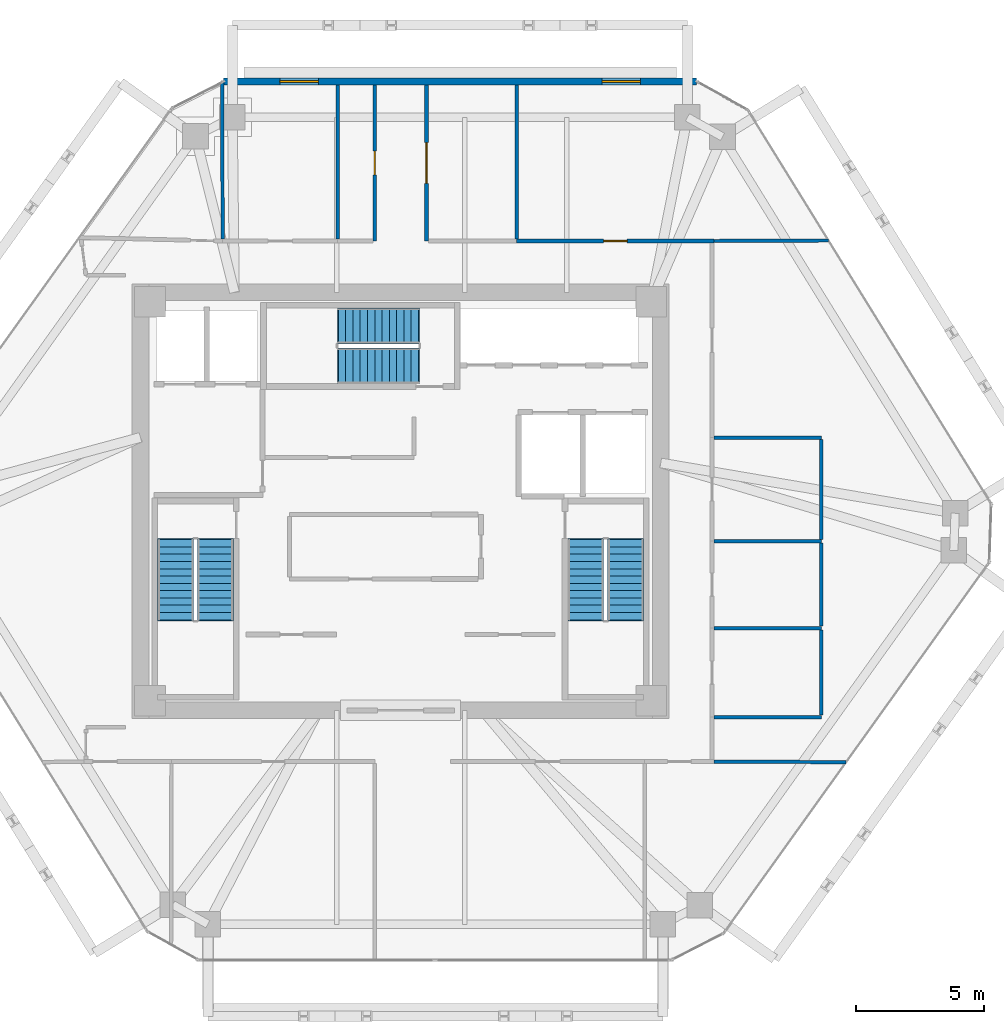
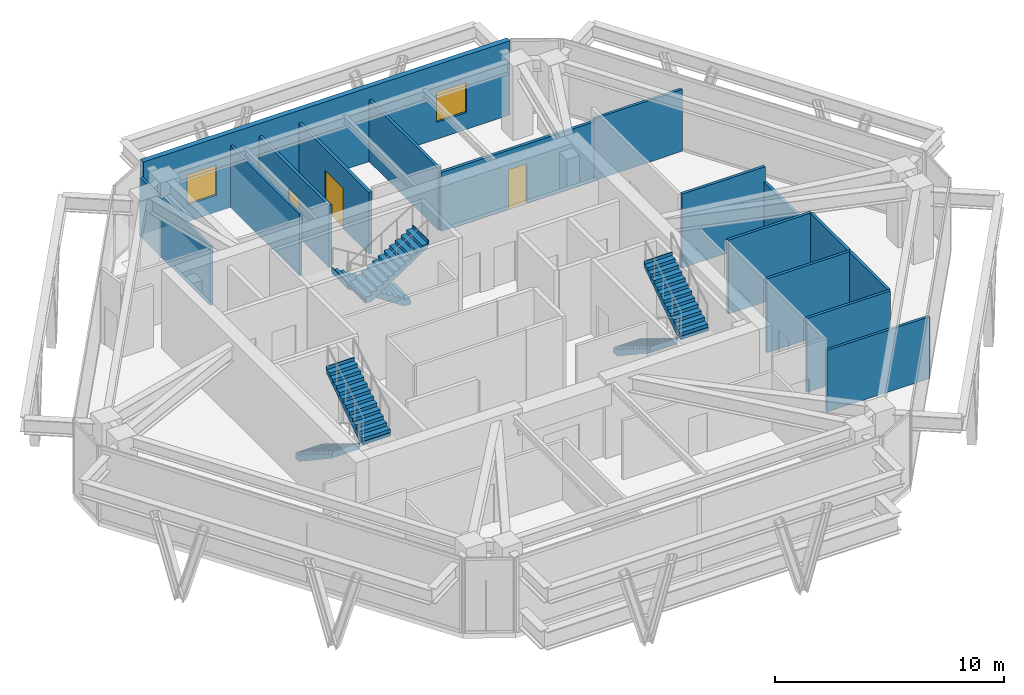
# One storey, part 10 of 11: 16 walls, 6 stair flights, 3 doors, 2 windows, 5 openings, 3 elements without a shape of their own.
"""IFC4 building model written with IfcOpenShell, lengths in metres."""

import ifcopenshell
import ifcopenshell.guid

model = None  # the IFC model being written
_history = None  # IfcOwnerHistory: only IFC2X3 demands one
_inside = {}  # id of a spatial element -> (the spatial element, [elements in it])
_under = {}  # id of a project, library or spatial element -> (it, [spatial elements below it])
_declared = {}  # id of a project -> (the project, [libraries it declares])
_typed = {}  # id of a type object -> (the type object, [elements of that type])
_made_of = {}  # id of a material, layer set ... -> (it, [elements and type objects made of it])


def new_model(schema):
    """Start an empty IFC model of exactly this schema.

    Asked for "IFC4X3", IfcOpenShell would pick the latest addendum, in which some entities
    have other attributes; the version numbers below select the first issue.
    IFC2X3 requires an IfcOwnerHistory on every rooted entity: one is made here for all.
    """
    global model, _history
    if schema == "IFC4X3":
        model = ifcopenshell.file(schema_version=(4, 3, 0, 0))
    else:
        model = ifcopenshell.file(schema=schema)
    _inside.clear()
    _under.clear()
    _declared.clear()
    _typed.clear()
    _made_of.clear()
    _history = None
    if model.schema == "IFC2X3":
        org = make("IfcOrganization", Name="unknown")
        user = make(
            "IfcPersonAndOrganization",
            ThePerson=make("IfcPerson", FamilyName="unknown"),
            TheOrganization=org,
        )
        app = make(
            "IfcApplication",
            ApplicationDeveloper=org,
            Version="unknown",
            ApplicationFullName="unknown",
            ApplicationIdentifier="unknown",
        )
        _history = make(
            "IfcOwnerHistory",
            OwningUser=user,
            OwningApplication=app,
            ChangeAction="ADDED",
            CreationDate=0,
        )
    return model


def make(cls, **values):
    """One entity of the class cls with the attributes given. An attribute that is None is left unset."""
    return model.create_entity(
        cls, **{name: value for name, value in values.items() if value is not None}
    )


def rooted(cls, **values):
    """An entity with a GlobalId (a new one), such as an element, a storey or a relation."""
    return make(cls, GlobalId=ifcopenshell.guid.new(), OwnerHistory=_history, **values)


def si_unit(unit_type, name, prefix=None):
    """IfcSIUnit, for example si_unit("LENGTHUNIT", "METRE", prefix="MILLI")."""
    return make("IfcSIUnit", UnitType=unit_type, Prefix=prefix, Name=name)


def assignment(units):
    """IfcUnitAssignment: the units of a project."""
    return None if units is None else make("IfcUnitAssignment", Units=units)


def point(xyz):
    """IfcCartesianPoint."""
    return None if xyz is None else make("IfcCartesianPoint", Coordinates=xyz)


def direction(xyz):
    """IfcDirection."""
    return None if xyz is None else make("IfcDirection", DirectionRatios=xyz)


def frame(location, z_axis=None, x_axis=None):
    """IfcAxis2Placement3D, a coordinate frame: its origin and axes. An axis left out is left unset."""
    return make(
        "IfcAxis2Placement3D",
        Location=point(location),
        Axis=direction(z_axis),
        RefDirection=direction(x_axis),
    )


def frame_2d(location, x_axis=None):
    """IfcAxis2Placement2D, a coordinate frame in the plane: its origin and x axis."""
    return make(
        "IfcAxis2Placement2D", Location=point(location), RefDirection=direction(x_axis)
    )


def origin():
    """The frame at (0, 0, 0) with its axes left unset."""
    return frame((0.0, 0.0, 0.0))


def place(relative_to, where):
    """IfcLocalPlacement: puts the frame where relative to a parent placement (None: the world)."""
    return make(
        "IfcLocalPlacement", PlacementRelTo=relative_to, RelativePlacement=where
    )


def context(
    kind, dimensions, precision=None, world=None, true_north=None, identifier=None
):
    """IfcGeometricRepresentationContext, for example the 3D "Model" context."""
    return make(
        "IfcGeometricRepresentationContext",
        ContextIdentifier=identifier,
        ContextType=kind,
        CoordinateSpaceDimension=dimensions,
        Precision=precision,
        WorldCoordinateSystem=world,
        TrueNorth=true_north,
    )


def subcontext(parent, identifier, kind, view, scale=None):
    """IfcGeometricRepresentationSubContext, for example "Body" below "Model"."""
    return make(
        "IfcGeometricRepresentationSubContext",
        ContextIdentifier=identifier,
        ContextType=kind,
        ParentContext=parent,
        TargetScale=scale,
        TargetView=view,
    )


def project(units=None, contexts=None):
    """IfcProject with its units and contexts."""
    return rooted(
        "IfcProject",
        Name="project",
        RepresentationContexts=contexts,
        UnitsInContext=assignment(units),
    )


def spatial(cls, under=None, at=None, **own):
    """A site, building, storey or space (cls), placed at a placement, below another one or the project."""
    s = rooted(cls, ObjectPlacement=at, **own)
    if under is not None:
        _under.setdefault(under.id(), (under, []))[1].append(s)
    return s


def polyline(points):
    """IfcPolyline through the points."""
    return make("IfcPolyline", Points=[point(p) for p in points])


def profile(cls, at=None, kind="AREA", **sizes):
    """A parametric profile (cls). Its sizes go by their IFC names, for example OverallWidth=200.0."""
    return make(cls, ProfileType=kind, Position=at, **sizes)


def rectangle(**sizes):
    """IfcRectangleProfileDef."""
    return profile("IfcRectangleProfileDef", **sizes)


def outline(outer, holes=None, kind="AREA"):
    """IfcArbitraryClosedProfileDef: a profile drawn as a closed curve; with holes, ...WithVoids."""
    if holes is None:
        return make("IfcArbitraryClosedProfileDef", ProfileType=kind, OuterCurve=outer)
    return make(
        "IfcArbitraryProfileDefWithVoids",
        ProfileType=kind,
        OuterCurve=outer,
        InnerCurves=holes,
    )


def extrude(swept, where, along, depth):
    """IfcExtrudedAreaSolid: the profile swept, set in the frame where, extruded along a direction by depth."""
    return make(
        "IfcExtrudedAreaSolid",
        SweptArea=swept,
        Position=where,
        ExtrudedDirection=direction(along),
        Depth=depth,
    )


def shape(context_of_items, identifier, shape_type, items):
    """IfcShapeRepresentation: the items that make up one representation, for example the "Body"."""
    return make(
        "IfcShapeRepresentation",
        ContextOfItems=context_of_items,
        RepresentationIdentifier=identifier,
        RepresentationType=shape_type,
        Items=items,
    )


def source(mapping_origin, context_of_items, identifier, shape_type, items):
    """IfcRepresentationMap: a shape defined once, which mapped items show again and again."""
    return make(
        "IfcRepresentationMap",
        MappingOrigin=mapping_origin,
        MappedRepresentation=shape(context_of_items, identifier, shape_type, items),
    )


def transform(
    local_origin,
    x_axis=None,
    y_axis=None,
    z_axis=None,
    scale=None,
    scale2=None,
    scale3=None,
    uniform=True,
):
    """IfcCartesianTransformationOperator3D, or its non-uniform kind. x_axis, y_axis, z_axis: its Axis1, 2, 3."""
    if uniform:
        return make(
            "IfcCartesianTransformationOperator3D",
            Axis1=direction(x_axis),
            Axis2=direction(y_axis),
            LocalOrigin=point(local_origin),
            Scale=scale,
            Axis3=direction(z_axis),
        )
    return make(
        "IfcCartesianTransformationOperator3DnonUniform",
        Axis1=direction(x_axis),
        Axis2=direction(y_axis),
        LocalOrigin=point(local_origin),
        Scale=scale,
        Axis3=direction(z_axis),
        Scale2=scale2,
        Scale3=scale3,
    )


def mapped(mapping_source, mapping_target):
    """IfcMappedItem: shows the shape of a source again, moved by a transform."""
    return make(
        "IfcMappedItem", MappingSource=mapping_source, MappingTarget=mapping_target
    )


def material(Name=None, Category=None):
    """IfcMaterial."""
    return make("IfcMaterial", Name=Name, Category=Category)


def layer(
    of_material, thickness, ventilated=None, Name=None, Category=None, Priority=None
):
    """IfcMaterialLayer: one layer of a wall or slab, of a material (None: an air gap)."""
    return make(
        "IfcMaterialLayer",
        Material=of_material,
        LayerThickness=thickness,
        IsVentilated=ventilated,
        Name=Name,
        Category=Category,
        Priority=Priority,
    )


def layer_set(layers, Name=None):
    """IfcMaterialLayerSet."""
    return make("IfcMaterialLayerSet", MaterialLayers=layers, LayerSetName=Name)


def made_of(thing, what):
    """Note that an element or type object is made of a material, layer set ...; save() writes the relation."""
    if what is not None:
        _made_of.setdefault(what.id(), (what, []))[1].append(thing)
    return thing


def type_object(cls, material=None, **own):
    """A type object (cls), such as IfcWallType, which elements share."""
    return made_of(rooted(cls, **own), material)


def type_shapes(of_type, sources):
    """Give a type object the sources (RepresentationMaps) that its elements show as mapped items."""
    of_type.RepresentationMaps = sources


def element(
    cls,
    number,
    at=None,
    inside=None,
    cuts=None,
    type_object=None,
    material=None,
    context=None,
    identifier="Body",
    shape_type=None,
    held_by="IfcProductDefinitionShape",
    body=None,
    shapes=None,
    **own,
):
    """One element of the class cls, such as IfcWall. Its Tag is "e" and its number.

    at: its placement. inside: the storey or other place that contains it. cuts: it is an
    opening in that element (IfcRelVoidsElement). A single representation is given by context,
    identifier, shape_type and body (its items); several are given by shapes. held_by: the class
    of the entity that holds the representations. save() writes the other relations.
    """
    e = rooted(cls, Tag="e%d" % number, ObjectPlacement=at, **own)
    if body is not None:
        shapes = [shape(context, identifier, shape_type, body)]
    if shapes is not None:
        e.Representation = make(held_by, Representations=shapes)
    if inside is not None:
        _inside.setdefault(inside.id(), (inside, []))[1].append(e)
    if cuts is not None:
        rooted(
            "IfcRelVoidsElement", RelatingBuildingElement=cuts, RelatedOpeningElement=e
        )
    if type_object is not None:
        _typed.setdefault(type_object.id(), (type_object, []))[1].append(e)
    return made_of(e, material)


def fill(opening, filler):
    """IfcRelFillsElement: the door or window that sits in an opening."""
    return rooted(
        "IfcRelFillsElement",
        RelatingOpeningElement=opening,
        RelatedBuildingElement=filler,
    )


def aggregate(whole, parts):
    """IfcRelAggregates: a whole, such as a stair, and the parts it consists of."""
    return rooted("IfcRelAggregates", RelatingObject=whole, RelatedObjects=parts)


def save(model, path):
    """Write the relations noted so far, then the file.

    IfcRelAggregates (storeys below a building ...), IfcRelContainedInSpatialStructure (elements
    in a storey), IfcRelDefinesByType, IfcRelAssociatesMaterial and IfcRelDeclares: one each for
    every whole, place, type object, material and project.
    """
    for whole, parts in _under.values():
        aggregate(whole, parts)
    for where, things in _inside.values():
        rooted(
            "IfcRelContainedInSpatialStructure",
            RelatedElements=things,
            RelatingStructure=where,
        )
    for kind, things in _typed.values():
        rooted("IfcRelDefinesByType", RelatedObjects=things, RelatingType=kind)
    for what, things in _made_of.values():
        rooted("IfcRelAssociatesMaterial", RelatedObjects=things, RelatingMaterial=what)
    for by, libraries in _declared.values():
        rooted("IfcRelDeclares", RelatingContext=by, RelatedDefinitions=libraries)
    model.write(path)


model = new_model("IFC4")

# Units and contexts
model_context = context("Model", 3, precision=1e-05, world=origin(), true_north=direction((0.0, 1.0)))
body_context = subcontext(model_context, "Body", "Model", "MODEL_VIEW")
ifc_project = project(units=[si_unit("LENGTHUNIT", "METRE"), si_unit("AREAUNIT", "SQUARE_METRE"), si_unit("VOLUMEUNIT", "CUBIC_METRE"), si_unit("PLANEANGLEUNIT", "RADIAN"), si_unit("MASSUNIT", "GRAM", prefix="KILO")], contexts=[model_context])

# Site, building, storey
site_placement = place(None, origin())
site = spatial("IfcSite", under=ifc_project, at=site_placement, CompositionType="ELEMENT")
building_placement = place(site_placement, origin())
building = spatial("IfcBuilding", under=site, at=building_placement, Name="Durnholm Broadcast Tower", CompositionType="ELEMENT")
storey_placement = place(building_placement, frame((0.0, 0.0, 155.10009765625)))
storey = spatial("IfcBuildingStorey", under=building, at=storey_placement, Name="L42", CompositionType="ELEMENT", Elevation=155.10009765625)

# Wall, openings, windows
ifc_material_1 = material(Name="Precast Concrete C45/55", Category="concrete")
ifc_layer_1 = layer(ifc_material_1, 0.260009765625)
ifc_layer_set_1 = layer_set([ifc_layer_1], Name="Precast Concrete C45/55")
wall_type_1 = type_object("IfcWallType", Name="WALL-EXT-260", PredefinedType="SOLIDWALL", material=ifc_layer_set_1)
wall_1_placement = place(storey_placement, frame((-6.917236328125, 16.41796875, 0.0), z_axis=(0.0, 0.0, 1.0), x_axis=(1.0, 0.0, 0.0)))
wall_1 = element("IfcWall", 1, at=wall_1_placement, inside=storey, type_object=wall_type_1, Name="L42 north feature spandrel wall", PredefinedType="SOLIDWALL", context=body_context, shape_type="SweptSolid", body=[
    extrude(rectangle(XDim=18.49853515625, YDim=0.260009765625, at=frame_2d((9.249267578125, 0.0))), origin(), (0.0, 0.0, 1.0), 3.9599609375),
])
opening_1_placement = place(wall_1_placement, frame((2.199951171875, 0.0, 0.89990234375)))
opening_1 = element("IfcOpeningElement", 2, at=opening_1_placement, cuts=wall_1, Name="Opening W4", PredefinedType="OPENING", context=body_context, shape_type="SweptSolid", body=[
    extrude(rectangle(XDim=1.5, YDim=1.60009765625, at=frame_2d((0.75, 0.800048828125))), frame((0.0, 0.14013671875, 0.0), z_axis=(0.0, -1.0, 0.0), x_axis=(1.0, 0.0, 0.0)), (0.0, 0.0, 1.0), 0.280029296875),
])
opening_2_placement = place(wall_1_placement, frame((14.799072265625, 0.0, 0.89990234375)))
opening_2 = element("IfcOpeningElement", 3, at=opening_2_placement, cuts=wall_1, Name="Opening W4", PredefinedType="OPENING", context=body_context, shape_type="SweptSolid", body=[
    extrude(rectangle(XDim=1.5, YDim=1.60009765625, at=frame_2d((0.75, 0.800048828125))), frame((0.0, 0.14013671875, 0.0), z_axis=(0.0, -1.0, 0.0), x_axis=(1.0, 0.0, 0.0)), (0.0, 0.0, 1.0), 0.280029296875),
])
ifc_material_2 = material(Name="Thermally Broken Aluminium and Laminated Glass", Category="aluminium")
ifc_layer_2 = layer(ifc_material_2, 0.06005859375)
ifc_layer_set_2 = layer_set([ifc_layer_2], Name="Thermally Broken Aluminium and Laminated Glass")
window_type = type_object("IfcWindowType", Name="WIN-W4", PartitioningType="SINGLE_PANEL", PredefinedType="WINDOW", material=ifc_layer_set_2)
shared_shape_1 = source(origin(), body_context, "Body", "SweptSolid", [
    extrude(rectangle(XDim=1.5, YDim=1.60009765625, at=frame_2d((0.75, 0.800048828125))), frame((0.0, 0.030029296875, 0.0), z_axis=(0.0, -1.0, 0.0), x_axis=(1.0, 0.0, 0.0)), (0.0, 0.0, 1.0), 0.06005859375),
])
type_shapes(window_type, [shared_shape_1])
window_1_placement = place(opening_1_placement, origin())
window_1 = element("IfcWindow", 4, at=window_1_placement, inside=storey, type_object=window_type, Name="L42 feature window 1", OverallHeight=1.60009765625, OverallWidth=1.5, PartitioningType="SINGLE_PANEL", PredefinedType="WINDOW", context=body_context, shape_type="MappedRepresentation", body=[
    mapped(shared_shape_1, transform((0.0, 0.0, 0.0), x_axis=(1.0, 0.0, 0.0), y_axis=(0.0, 1.0, 0.0), z_axis=(0.0, 0.0, 1.0), scale=1.0)),
])
fill(opening_1, window_1)
window_2_placement = place(opening_2_placement, origin())
window_2 = element("IfcWindow", 5, at=window_2_placement, inside=storey, type_object=window_type, Name="L42 feature window 2", OverallHeight=1.60009765625, OverallWidth=1.5, PartitioningType="SINGLE_PANEL", PredefinedType="WINDOW", context=body_context, shape_type="MappedRepresentation", body=[
    mapped(shared_shape_1, transform((0.0, 0.0, 0.0), x_axis=(1.0, 0.0, 0.0), y_axis=(0.0, 1.0, 0.0), z_axis=(0.0, 0.0, 1.0), scale=1.0)),
])
fill(opening_2, window_2)

# Walls
ifc_material_3 = material(Name="Gypsum Metal Stud Partition", Category="concrete")
ifc_layer_3 = layer(ifc_material_3, 0.135009765625)
ifc_layer_set_3 = layer_set([ifc_layer_3], Name="Gypsum Metal Stud Partition")
wall_type_2 = type_object("IfcWallType", Name="WALL-PART-135", PredefinedType="PARTITIONING", material=ifc_layer_set_3)
wall_2_placement = place(storey_placement, frame((-6.978271484375, 16.38671875, 0.0), z_axis=(0.0, 0.0, 1.0), x_axis=(0.00294831182, -0.999995653719, 0.0)))
element("IfcWall", 6, at=wall_2_placement, inside=storey, type_object=wall_type_2, Name="L42 room dividing partition 9.10", PredefinedType="PARTITIONING", context=body_context, shape_type="SweptSolid", body=[
    extrude(rectangle(XDim=6.127685546875, YDim=0.135009765625, at=frame_2d((3.06396484375, 0.0))), origin(), (0.0, 0.0, 1.0), 3.1416015625),
])
for number, where, z_axis, x_axis, name in (
    (7, (-2.4599609375, 16.282958984375, 0.0), (0.0, 0.0, 1.0), (0.0, -1.0, 0.0), "L42 room dividing partition 10.11"),
    (8, (4.5400390625, 16.282958984375, 0.0), (0.0, 0.0, 1.0), (0.0, -1.0, 0.0), "L42 room dividing partition 12.13"),
):
    element("IfcWall", number, at=place(storey_placement, frame(where, z_axis=z_axis, x_axis=x_axis)), inside=storey, type_object=wall_type_2, Name=name, PredefinedType="PARTITIONING", context=body_context, shape_type="SweptSolid", body=[
        extrude(rectangle(XDim=6.02392578125, YDim=0.135009765625, at=frame_2d((3.011962890625, 0.0))), origin(), (0.0, 0.0, 1.0), 3.298583984375),
    ])
wall_3_placement = place(storey_placement, frame((16.739990234375, 10.200927734375, 0.0), z_axis=(0.0, 0.0, 1.0), x_axis=(-0.999989522694, -0.004577608714, 0.0)))
element("IfcWall", 9, at=wall_3_placement, inside=storey, type_object=wall_type_2, Name="L42 room dividing partition 13.20", PredefinedType="PARTITIONING", context=body_context, shape_type="SweptSolid", body=[
    extrude(rectangle(XDim=4.47998046875, YDim=0.135009765625, at=frame_2d((2.239990234375, 0.0))), origin(), (0.0, 0.0, 1.0), 3.298583984375),
])
wall_4_placement = place(storey_placement, frame((12.260009765625, -10.180419921875, 0.0), z_axis=(0.0, 0.0, 1.0), x_axis=(0.999990144117, -0.004439782427, 0.0)))
element("IfcWall", 10, at=wall_4_placement, inside=storey, type_object=wall_type_2, Name="L42 room dividing partition 17.20", PredefinedType="PARTITIONING", context=body_context, shape_type="SweptSolid", body=[
    extrude(rectangle(XDim=5.1689453125, YDim=0.135009765625, at=frame_2d((2.58447265625, 0.0))), origin(), (0.0, 0.0, 1.0), 3.298583984375),
])

# Wall, opening, door
ifc_material_4 = material(Name="Acoustic Gypsum Stud Partition", Category="concrete")
ifc_layer_4 = layer(ifc_material_4, 0.14990234375)
ifc_layer_set_4 = layer_set([ifc_layer_4], Name="Acoustic Gypsum Stud Partition")
wall_type_3 = type_object("IfcWallType", Name="WALL-PART-150", PredefinedType="PARTITIONING", material=ifc_layer_set_4)
wall_5_placement = place(storey_placement, frame((-1.010009765625, 16.282958984375, 0.0), z_axis=(0.0, 0.0, 1.0), x_axis=(0.0, -1.0, 0.0)))
wall_5 = element("IfcWall", 11, at=wall_5_placement, inside=storey, type_object=wall_type_3, Name="L42 Sky Terrace Lounge corridor partition", PredefinedType="PARTITIONING", context=body_context, shape_type="SweptSolid", body=[
    extrude(rectangle(XDim=6.10302734375, YDim=0.14990234375, at=frame_2d((3.051513671875, 0.0))), origin(), (0.0, 0.0, 1.0), 3.298583984375),
])
opening_3_placement = place(wall_5_placement, frame((2.591552734375, 0.0, 0.0)))
opening_3 = element("IfcOpeningElement", 12, at=opening_3_placement, cuts=wall_5, Name="Opening DR-92L", PredefinedType="OPENING", context=body_context, shape_type="SweptSolid", body=[
    extrude(rectangle(XDim=0.919921875, YDim=2.10009765625, at=frame_2d((0.4599609375, 1.050048828125))), frame((0.0, 0.0849609375, 0.0), z_axis=(0.0, -1.0, 0.0), x_axis=(1.0, 0.0, 0.0)), (0.0, 0.0, 1.0), 0.169921875),
])
ifc_material_5 = material(Name="Oak Veneer Office Door", Category="wood")
ifc_layer_5 = layer(ifc_material_5, 0.050048828125)
ifc_layer_set_5 = layer_set([ifc_layer_5], Name="Oak Veneer Office Door")
door_type_1 = type_object("IfcDoorType", Name="DOOR-RM-920L", OperationType="NOTDEFINED", PredefinedType="DOOR", material=ifc_layer_set_5)
shared_shape_2 = source(origin(), body_context, "Body", "SweptSolid", [
    extrude(rectangle(XDim=0.919921875, YDim=2.10009765625, at=frame_2d((0.4599609375, 1.050048828125))), frame((0.0, 0.02490234375, 0.0), z_axis=(0.0, -1.0, 0.0), x_axis=(1.0, 0.0, 0.0)), (0.0, 0.0, 1.0), 0.050048828125),
])
type_shapes(door_type_1, [shared_shape_2])
door_1_placement = place(opening_3_placement, origin())
door_1 = element("IfcDoor", 13, at=door_1_placement, inside=storey, type_object=door_type_1, Name="L42 Sky Terrace Lounge entrance door", OperationType="SINGLE_SWING_LEFT", OverallHeight=2.10009765625, OverallWidth=0.919921875, PredefinedType="DOOR", context=body_context, shape_type="MappedRepresentation", body=[
    mapped(shared_shape_2, transform((0.0, 0.0, 0.0), x_axis=(1.0, 0.0, 0.0), y_axis=(0.0, 1.0, 0.0), z_axis=(0.0, 0.0, 1.0), scale=1.0)),
])
fill(opening_3, door_1)

wall_6_placement = place(storey_placement, frame((1.010009765625, 10.179931640625, 0.0), z_axis=(0.0, 0.0, 1.0), x_axis=(0.0, 1.0, 0.0)))
wall_6 = element("IfcWall", 14, at=wall_6_placement, inside=storey, type_object=wall_type_3, Name="L42 Town Hall Meeting Room corridor partition", PredefinedType="PARTITIONING", context=body_context, shape_type="SweptSolid", body=[
    extrude(rectangle(XDim=6.10302734375, YDim=0.14990234375, at=frame_2d((3.051513671875, 0.0))), origin(), (0.0, 0.0, 1.0), 3.298583984375),
])
opening_4_placement = place(wall_6_placement, frame((2.25146484375, 0.0, 0.0)))
opening_4 = element("IfcOpeningElement", 15, at=opening_4_placement, cuts=wall_6, Name="Opening DST-160", PredefinedType="OPENING", context=body_context, shape_type="SweptSolid", body=[
    extrude(rectangle(XDim=1.60009765625, YDim=2.14990234375, at=frame_2d((0.800048828125, 1.074951171875))), frame((0.0, 0.0849609375, 0.0), z_axis=(0.0, -1.0, 0.0), x_axis=(1.0, 0.0, 0.0)), (0.0, 0.0, 1.0), 0.169921875),
])
ifc_material_6 = material(Name="Acoustic Broadcast Studio Sound-Lock Door", Category="steel")
ifc_layer_6 = layer(ifc_material_6, 0.050048828125)
ifc_layer_set_6 = layer_set([ifc_layer_6], Name="Acoustic Broadcast Studio Sound-Lock Door")
door_type_2 = type_object("IfcDoorType", Name="DOOR-STU-1600", OperationType="DOUBLE_DOOR_SINGLE_SWING", PredefinedType="DOOR", material=ifc_layer_set_6)
shared_shape_3 = source(origin(), body_context, "Body", "SweptSolid", [
    extrude(rectangle(XDim=1.60009765625, YDim=2.14990234375, at=frame_2d((0.800048828125, 1.074951171875))), frame((0.0, 0.02490234375, 0.0), z_axis=(0.0, -1.0, 0.0), x_axis=(1.0, 0.0, 0.0)), (0.0, 0.0, 1.0), 0.050048828125),
])
type_shapes(door_type_2, [shared_shape_3])
door_2_placement = place(opening_4_placement, origin())
door_2 = element("IfcDoor", 16, at=door_2_placement, inside=storey, type_object=door_type_2, Name="L42 Town Hall Meeting Room entrance door", OperationType="DOUBLE_DOOR_SINGLE_SWING", OverallHeight=2.14990234375, OverallWidth=1.60009765625, PredefinedType="DOOR", context=body_context, shape_type="MappedRepresentation", body=[
    mapped(shared_shape_3, transform((0.0, 0.0, 0.0), x_axis=(1.0, 0.0, 0.0), y_axis=(0.0, 1.0, 0.0), z_axis=(0.0, 0.0, 1.0), scale=1.0)),
])
fill(opening_4, door_2)

wall_7_placement = place(storey_placement, frame((12.260009765625, 10.179931640625, 0.0), z_axis=(0.0, 0.0, 1.0), x_axis=(-1.0, 0.0, 0.0)))
wall_7 = element("IfcWall", 17, at=wall_7_placement, inside=storey, type_object=wall_type_3, Name="L42 Media Concierge Office corridor partition", PredefinedType="PARTITIONING", context=body_context, shape_type="SweptSolid", body=[
    extrude(rectangle(XDim=7.719970703125, YDim=0.14990234375, at=frame_2d((3.85986328125, 0.0))), origin(), (0.0, 0.0, 1.0), 3.1416015625),
])
opening_5_placement = place(wall_7_placement, frame((3.39990234375, 0.0, 0.0)))
opening_5 = element("IfcOpeningElement", 18, at=opening_5_placement, cuts=wall_7, Name="Opening DR-92L", PredefinedType="OPENING", context=body_context, shape_type="SweptSolid", body=[
    extrude(rectangle(XDim=0.919921875, YDim=2.10009765625, at=frame_2d((0.4599609375, 1.050048828125))), frame((0.0, 0.0849609375, 0.0), z_axis=(0.0, -1.0, 0.0), x_axis=(1.0, 0.0, 0.0)), (0.0, 0.0, 1.0), 0.169921875),
])
door_3_placement = place(opening_5_placement, origin())
door_3 = element("IfcDoor", 19, at=door_3_placement, inside=storey, type_object=door_type_1, Name="L42 Media Concierge Office entrance door", OperationType="SINGLE_SWING_LEFT", OverallHeight=2.10009765625, OverallWidth=0.919921875, PredefinedType="DOOR", context=body_context, shape_type="MappedRepresentation", body=[
    mapped(shared_shape_2, transform((0.0, 0.0, 0.0), x_axis=(1.0, 0.0, 0.0), y_axis=(0.0, 1.0, 0.0), z_axis=(0.0, 0.0, 1.0), scale=1.0)),
])
fill(opening_5, door_3)

# Walls
ifc_material_7 = material(Name="Moisture-Resistant Tile Partition", Category="concrete")
ifc_layer_7 = layer(ifc_material_7, 0.139892578125)
ifc_layer_set_7 = layer_set([ifc_layer_7], Name="Moisture-Resistant Tile Partition")
wall_type_4 = type_object("IfcWallType", Name="WALL-WC-140", PredefinedType="PARTITIONING", material=ifc_layer_set_7)
wall_8_placement = place(storey_placement, frame((12.25390625, -4.9599609375, 0.0), z_axis=(0.0, 0.0, 1.0), x_axis=(1.0, 0.0, 0.0)))
element("IfcWall", 20, at=wall_8_placement, inside=storey, type_object=wall_type_4, Name="L42 room dividing partition 6.7", PredefinedType="PARTITIONING", context=body_context, shape_type="SweptSolid", body=[
    extrude(rectangle(XDim=4.2060546875, YDim=0.139892578125, at=frame_2d((2.10302734375, 0.0))), origin(), (0.0, 0.0, 1.0), 3.94482421875),
])
wall_9_placement = place(storey_placement, frame((16.4599609375, -8.43994140625, 0.0), z_axis=(0.0, 0.0, 1.0), x_axis=(-1.0, 0.0, 0.0)))
element("IfcWall", 21, at=wall_9_placement, inside=storey, type_object=wall_type_4, Name="L42 room dividing partition 6.20", PredefinedType="PARTITIONING", context=body_context, shape_type="SweptSolid", body=[
    extrude(rectangle(XDim=4.200927734375, YDim=0.139892578125, at=frame_2d((2.1005859375, 0.0))), origin(), (0.0, 0.0, 1.0), 3.94482421875),
])
wall_10_placement = place(storey_placement, frame((16.4599609375, -5.033935546875, 0.0), z_axis=(0.0, 0.0, 1.0), x_axis=(0.0, -1.0, 0.0)))
element("IfcWall", 22, at=wall_10_placement, inside=storey, type_object=wall_type_4, Name="L42 room dividing partition 6.20", PredefinedType="PARTITIONING", context=body_context, shape_type="SweptSolid", body=[
    extrude(rectangle(XDim=3.33203125, YDim=0.139892578125, at=frame_2d((1.666015625, 0.0))), origin(), (0.0, 0.0, 1.0), 3.94482421875),
])
wall_11_placement = place(storey_placement, frame((12.25390625, -1.56005859375, 0.0), z_axis=(0.0, 0.0, 1.0), x_axis=(1.0, 0.0, 0.0)))
element("IfcWall", 23, at=wall_11_placement, inside=storey, type_object=wall_type_4, Name="L42 room dividing partition 7.8", PredefinedType="PARTITIONING", context=body_context, shape_type="SweptSolid", body=[
    extrude(rectangle(XDim=4.2060546875, YDim=0.139892578125, at=frame_2d((2.10302734375, 0.0))), origin(), (0.0, 0.0, 1.0), 3.94482421875),
])
wall_12_placement = place(storey_placement, frame((16.4599609375, -1.634033203125, 0.0), z_axis=(0.0, 0.0, 1.0), x_axis=(0.0, -1.0, 0.0)))
element("IfcWall", 24, at=wall_12_placement, inside=storey, type_object=wall_type_4, Name="L42 room dividing partition 7.20", PredefinedType="PARTITIONING", context=body_context, shape_type="SweptSolid", body=[
    extrude(rectangle(XDim=3.251953125, YDim=0.139892578125, at=frame_2d((1.6259765625, 0.0))), origin(), (0.0, 0.0, 1.0), 3.94482421875),
])
wall_13_placement = place(storey_placement, frame((12.259033203125, 2.489990234375, 0.0), z_axis=(0.0, 0.0, 1.0), x_axis=(1.0, 0.0, 0.0)))
element("IfcWall", 25, at=wall_13_placement, inside=storey, type_object=wall_type_4, Name="L42 room dividing partition 8.20", PredefinedType="PARTITIONING", context=body_context, shape_type="SweptSolid", body=[
    extrude(rectangle(XDim=4.200927734375, YDim=0.139892578125, at=frame_2d((2.1005859375, 0.0))), origin(), (0.0, 0.0, 1.0), 3.94482421875),
])
wall_14_placement = place(storey_placement, frame((16.4599609375, 2.416015625, 0.0), z_axis=(0.0, 0.0, 1.0), x_axis=(0.0, -1.0, 0.0)))
element("IfcWall", 26, at=wall_14_placement, inside=storey, type_object=wall_type_4, Name="L42 room dividing partition 8.20", PredefinedType="PARTITIONING", context=body_context, shape_type="SweptSolid", body=[
    extrude(rectangle(XDim=3.902099609375, YDim=0.139892578125, at=frame_2d((1.951171875, 0.0))), origin(), (0.0, 0.0, 1.0), 3.1416015625),
])

# Stair, stair flights
ifc_material_8 = material(Name="Concrete C50/60", Category="concrete")
stair_type = type_object("IfcStairType", Name="STAIR-DL-24R1750", PredefinedType="HALF_TURN_STAIR", material=ifc_material_8)
stair_1_placement = place(storey_placement, origin())
stair_1 = element("IfcStair", 27, at=stair_1_placement, inside=storey, type_object=stair_type, Name="L42 ST-1", PredefinedType="HALF_TURN_STAIR")
stair_flight_type = type_object("IfcStairFlightType", Name="FLIGHT-DL-24R1750", PredefinedType="STRAIGHT", material=ifc_material_8)
stair_flight_1_placement = place(storey_placement, frame((-8.800048828125, -1.5, 0.0), z_axis=(0.0, 0.0, 1.0), x_axis=(0.0, -1.0, 0.0)))
stair_flight_1 = element("IfcStairFlight", 28, at=stair_flight_1_placement, type_object=stair_flight_type, Name="ST-1 flight 1", NumberOfRisers=12, NumberOfTreads=11, PredefinedType="STRAIGHT", RiserHeight=0.175, TreadLength=0.285, context=body_context, shape_type="SweptSolid", body=[
    extrude(outline(polyline([(-0.0400390625, -0.14990234375), (-0.0400390625, 0.0), (0.0, 0.0), (0.0, 0.175048828125), (0.284912109375, 0.175048828125), (0.284912109375, 0.35009765625), (0.570068359375, 0.35009765625), (0.570068359375, 0.52490234375), (0.85498046875, 0.52490234375), (0.85498046875, 0.699951171875), (1.139892578125, 0.699951171875), (1.139892578125, 0.875), (1.425048828125, 0.875), (1.425048828125, 1.050048828125), (1.7099609375, 1.050048828125), (1.7099609375, 1.22509765625), (1.9951171875, 1.22509765625), (1.9951171875, 1.39990234375), (2.280029296875, 1.39990234375), (2.280029296875, 1.574951171875), (2.56494140625, 1.574951171875), (2.56494140625, 1.75), (2.85009765625, 1.75), (2.85009765625, 1.925048828125), (3.135009765625, 1.925048828125), (3.135009765625, 2.10009765625), (3.175048828125, 2.10009765625), (3.175048828125, 1.9501953125), (3.135009765625, 1.7490234375), (0.286376953125, -0.14990234375), (-0.0400390625, -0.14990234375)])), frame((0.0, 0.699951171875, 0.0), z_axis=(0.0, -1.0, 0.0), x_axis=(1.0, 0.0, 0.0)), (0.0, 0.0, 1.0), 1.39990234375),
])
stair_flight_2_placement = place(storey_placement, frame((-7.239990234375, -4.635009765625, 2.099853515625), z_axis=(0.0, 0.0, 1.0), x_axis=(0.0, 1.0, 0.0)))
stair_flight_2 = element("IfcStairFlight", 29, at=stair_flight_2_placement, type_object=stair_flight_type, Name="ST-1 flight 2", NumberOfRisers=12, NumberOfTreads=11, PredefinedType="STRAIGHT", RiserHeight=0.175, TreadLength=0.285, context=body_context, shape_type="SweptSolid", body=[
    extrude(outline(polyline([(-0.0400390625, -0.14990234375), (-0.0400390625, 0.0), (0.0, 0.0), (0.0, 0.175048828125), (0.284912109375, 0.175048828125), (0.284912109375, 0.35009765625), (0.570068359375, 0.35009765625), (0.570068359375, 0.52490234375), (0.85498046875, 0.52490234375), (0.85498046875, 0.699951171875), (1.139892578125, 0.699951171875), (1.139892578125, 0.875), (1.425048828125, 0.875), (1.425048828125, 1.050048828125), (1.7099609375, 1.050048828125), (1.7099609375, 1.22509765625), (1.9951171875, 1.22509765625), (1.9951171875, 1.39990234375), (2.280029296875, 1.39990234375), (2.280029296875, 1.574951171875), (2.56494140625, 1.574951171875), (2.56494140625, 1.75), (2.85009765625, 1.75), (2.85009765625, 1.925048828125), (3.135009765625, 1.925048828125), (3.135009765625, 2.10009765625), (3.175048828125, 2.10009765625), (3.175048828125, 1.9501953125), (3.135009765625, 1.7490234375), (0.286376953125, -0.14990234375), (-0.0400390625, -0.14990234375)])), frame((0.0, 0.699951171875, 0.0), z_axis=(0.0, -1.0, 0.0), x_axis=(1.0, 0.0, 0.0)), (0.0, 0.0, 1.0), 1.39990234375),
])
aggregate(stair_1, [stair_flight_1, stair_flight_2])

stair_2_placement = place(storey_placement, origin())
stair_2 = element("IfcStair", 30, at=stair_2_placement, inside=storey, type_object=stair_type, Name="L42 ST-2", PredefinedType="HALF_TURN_STAIR")
stair_flight_3_placement = place(storey_placement, frame((7.239990234375, -1.5, 0.0), z_axis=(0.0, 0.0, 1.0), x_axis=(0.0, -1.0, 0.0)))
stair_flight_3 = element("IfcStairFlight", 31, at=stair_flight_3_placement, type_object=stair_flight_type, Name="ST-2 flight 1", NumberOfRisers=12, NumberOfTreads=11, PredefinedType="STRAIGHT", RiserHeight=0.175, TreadLength=0.285, context=body_context, shape_type="SweptSolid", body=[
    extrude(outline(polyline([(-0.0400390625, -0.14990234375), (-0.0400390625, 0.0), (0.0, 0.0), (0.0, 0.175048828125), (0.284912109375, 0.175048828125), (0.284912109375, 0.35009765625), (0.570068359375, 0.35009765625), (0.570068359375, 0.52490234375), (0.85498046875, 0.52490234375), (0.85498046875, 0.699951171875), (1.139892578125, 0.699951171875), (1.139892578125, 0.875), (1.425048828125, 0.875), (1.425048828125, 1.050048828125), (1.7099609375, 1.050048828125), (1.7099609375, 1.22509765625), (1.9951171875, 1.22509765625), (1.9951171875, 1.39990234375), (2.280029296875, 1.39990234375), (2.280029296875, 1.574951171875), (2.56494140625, 1.574951171875), (2.56494140625, 1.75), (2.85009765625, 1.75), (2.85009765625, 1.925048828125), (3.135009765625, 1.925048828125), (3.135009765625, 2.10009765625), (3.175048828125, 2.10009765625), (3.175048828125, 1.9501953125), (3.135009765625, 1.7490234375), (0.286376953125, -0.14990234375), (-0.0400390625, -0.14990234375)])), frame((0.0, 0.699951171875, 0.0), z_axis=(0.0, -1.0, 0.0), x_axis=(1.0, 0.0, 0.0)), (0.0, 0.0, 1.0), 1.39990234375),
])
stair_flight_4_placement = place(storey_placement, frame((8.800048828125, -4.635009765625, 2.099853515625), z_axis=(0.0, 0.0, 1.0), x_axis=(0.0, 1.0, 0.0)))
stair_flight_4 = element("IfcStairFlight", 32, at=stair_flight_4_placement, type_object=stair_flight_type, Name="ST-2 flight 2", NumberOfRisers=12, NumberOfTreads=11, PredefinedType="STRAIGHT", RiserHeight=0.175, TreadLength=0.285, context=body_context, shape_type="SweptSolid", body=[
    extrude(outline(polyline([(-0.0400390625, -0.14990234375), (-0.0400390625, 0.0), (0.0, 0.0), (0.0, 0.175048828125), (0.284912109375, 0.175048828125), (0.284912109375, 0.35009765625), (0.570068359375, 0.35009765625), (0.570068359375, 0.52490234375), (0.85498046875, 0.52490234375), (0.85498046875, 0.699951171875), (1.139892578125, 0.699951171875), (1.139892578125, 0.875), (1.425048828125, 0.875), (1.425048828125, 1.050048828125), (1.7099609375, 1.050048828125), (1.7099609375, 1.22509765625), (1.9951171875, 1.22509765625), (1.9951171875, 1.39990234375), (2.280029296875, 1.39990234375), (2.280029296875, 1.574951171875), (2.56494140625, 1.574951171875), (2.56494140625, 1.75), (2.85009765625, 1.75), (2.85009765625, 1.925048828125), (3.135009765625, 1.925048828125), (3.135009765625, 2.10009765625), (3.175048828125, 2.10009765625), (3.175048828125, 1.9501953125), (3.135009765625, 1.7490234375), (0.286376953125, -0.14990234375), (-0.0400390625, -0.14990234375)])), frame((0.0, 0.699951171875, 0.0), z_axis=(0.0, -1.0, 0.0), x_axis=(1.0, 0.0, 0.0)), (0.0, 0.0, 1.0), 1.39990234375),
])
aggregate(stair_2, [stair_flight_3, stair_flight_4])

stair_3_placement = place(storey_placement, origin())
stair_3 = element("IfcStair", 33, at=stair_3_placement, inside=storey, type_object=stair_type, Name="L42 ST-3", PredefinedType="HALF_TURN_STAIR")
stair_flight_5_placement = place(storey_placement, frame((0.699951171875, 6.860107421875, 0.0), z_axis=(0.0, 0.0, 1.0), x_axis=(-1.0, 0.0, 0.0)))
stair_flight_5 = element("IfcStairFlight", 34, at=stair_flight_5_placement, type_object=stair_flight_type, Name="ST-3 flight 1", NumberOfRisers=12, NumberOfTreads=11, PredefinedType="STRAIGHT", RiserHeight=0.175, TreadLength=0.285, context=body_context, shape_type="SweptSolid", body=[
    extrude(outline(polyline([(-0.0400390625, -0.14990234375), (-0.0400390625, 0.0), (0.0, 0.0), (0.0, 0.175048828125), (0.284912109375, 0.175048828125), (0.284912109375, 0.35009765625), (0.570068359375, 0.35009765625), (0.570068359375, 0.52490234375), (0.85498046875, 0.52490234375), (0.85498046875, 0.699951171875), (1.139892578125, 0.699951171875), (1.139892578125, 0.875), (1.425048828125, 0.875), (1.425048828125, 1.050048828125), (1.7099609375, 1.050048828125), (1.7099609375, 1.22509765625), (1.9951171875, 1.22509765625), (1.9951171875, 1.39990234375), (2.280029296875, 1.39990234375), (2.280029296875, 1.574951171875), (2.56494140625, 1.574951171875), (2.56494140625, 1.75), (2.85009765625, 1.75), (2.85009765625, 1.925048828125), (3.135009765625, 1.925048828125), (3.135009765625, 2.10009765625), (3.175048828125, 2.10009765625), (3.175048828125, 1.9501953125), (3.135009765625, 1.7490234375), (0.286376953125, -0.14990234375), (-0.0400390625, -0.14990234375)])), frame((0.0, 0.699951171875, 0.0), z_axis=(0.0, -1.0, 0.0), x_axis=(1.0, 0.0, 0.0)), (0.0, 0.0, 1.0), 1.39990234375),
])
stair_flight_6_placement = place(storey_placement, frame((-2.43505859375, 5.300048828125, 2.099853515625), z_axis=(0.0, 0.0, 1.0), x_axis=(1.0, 0.0, 0.0)))
stair_flight_6 = element("IfcStairFlight", 35, at=stair_flight_6_placement, type_object=stair_flight_type, Name="ST-3 flight 2", NumberOfRisers=12, NumberOfTreads=11, PredefinedType="STRAIGHT", RiserHeight=0.175, TreadLength=0.285, context=body_context, shape_type="SweptSolid", body=[
    extrude(outline(polyline([(-0.0400390625, -0.14990234375), (-0.0400390625, 0.0), (0.0, 0.0), (0.0, 0.175048828125), (0.284912109375, 0.175048828125), (0.284912109375, 0.35009765625), (0.570068359375, 0.35009765625), (0.570068359375, 0.52490234375), (0.85498046875, 0.52490234375), (0.85498046875, 0.699951171875), (1.139892578125, 0.699951171875), (1.139892578125, 0.875), (1.425048828125, 0.875), (1.425048828125, 1.050048828125), (1.7099609375, 1.050048828125), (1.7099609375, 1.22509765625), (1.9951171875, 1.22509765625), (1.9951171875, 1.39990234375), (2.280029296875, 1.39990234375), (2.280029296875, 1.574951171875), (2.56494140625, 1.574951171875), (2.56494140625, 1.75), (2.85009765625, 1.75), (2.85009765625, 1.925048828125), (3.135009765625, 1.925048828125), (3.135009765625, 2.10009765625), (3.175048828125, 2.10009765625), (3.175048828125, 1.9501953125), (3.135009765625, 1.7490234375), (0.286376953125, -0.14990234375), (-0.0400390625, -0.14990234375)])), frame((0.0, 0.699951171875, 0.0), z_axis=(0.0, -1.0, 0.0), x_axis=(1.0, 0.0, 0.0)), (0.0, 0.0, 1.0), 1.39990234375),
])
aggregate(stair_3, [stair_flight_5, stair_flight_6])

save(model, "model.ifc")
